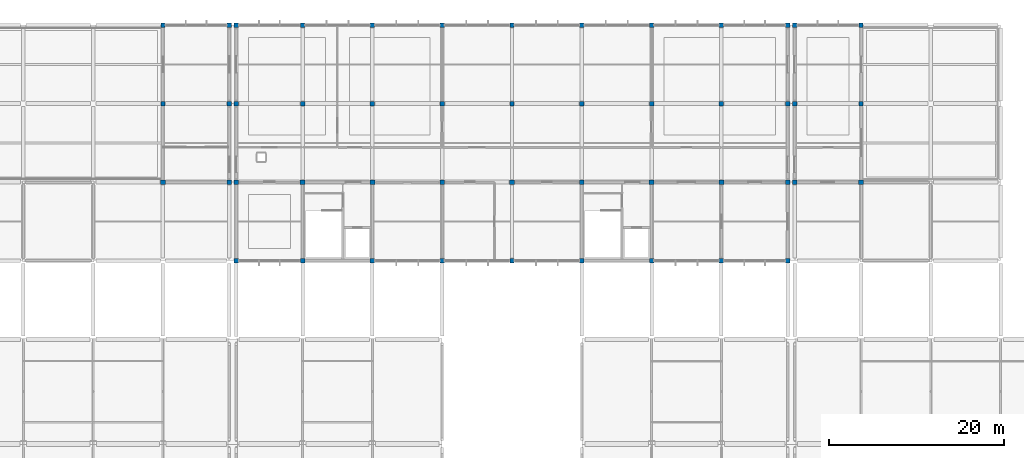
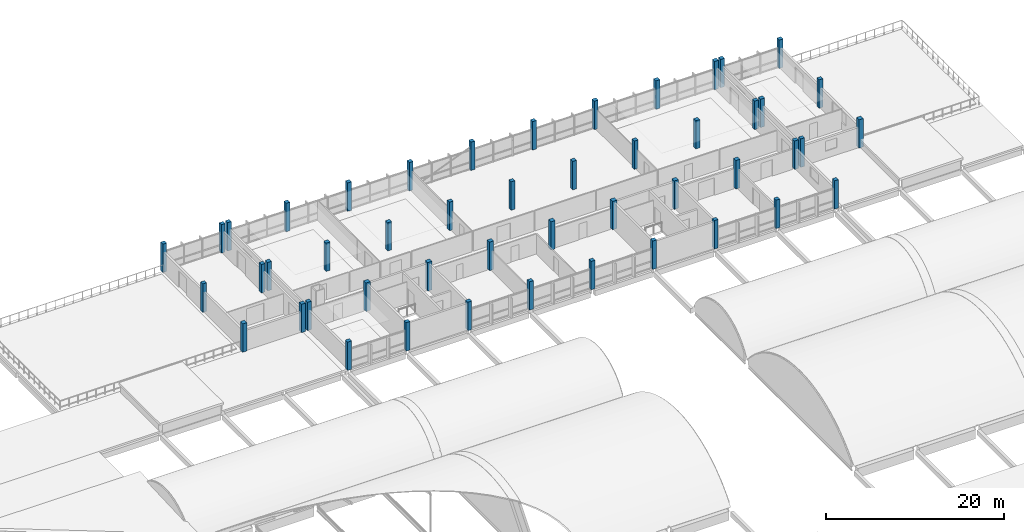
# One storey, part 2 of 57: 48 columns.
"""IFC4 building model written with IfcOpenShell, lengths in metres."""

from ifc_helpers import new_model, si_unit, direction, frame, origin, origin_2d, place, context, subcontext, project, spatial, rectangle, extrude, material, material_profile, profile_set, type_object, element, save


model = new_model("IFC4")

# Units and contexts
model_context = context("Model", 3, precision=1e-05, world=origin(), true_north=direction((0.0, 1.0)))
body_context = subcontext(model_context, "Body", "Model", "MODEL_VIEW")
ifc_project = project(units=[si_unit("LENGTHUNIT", "METRE"), si_unit("AREAUNIT", "SQUARE_METRE"), si_unit("VOLUMEUNIT", "CUBIC_METRE"), si_unit("PLANEANGLEUNIT", "RADIAN"), si_unit("MASSUNIT", "GRAM", prefix="KILO"), si_unit("THERMODYNAMICTEMPERATUREUNIT", "KELVIN"), si_unit("POWERUNIT", "WATT")], contexts=[model_context])

# Site, building, storey
site_placement = place(None, origin())
site = spatial("IfcSite", under=ifc_project, at=site_placement, CompositionType="ELEMENT")
building_placement = place(site_placement, origin())
building = spatial("IfcBuilding", under=site, at=building_placement, Name="Kronsvod Quay Wholesale Market", CompositionType="ELEMENT")
storey_placement = place(building_placement, frame((0.0, 0.0, 13.199951171875)))
storey = spatial("IfcBuildingStorey", under=building, at=storey_placement, Name="L03", CompositionType="ELEMENT", Elevation=13.199951171875)

# Columns
ifc_material_1 = material(Name="Precast concrete C40/50", Category="concrete")
ifc_material_profile_1 = material_profile(ifc_material_1, rectangle(XDim=0.5, YDim=0.5, at=origin_2d()), Name="PCC500x500")
ifc_profile_set_1 = profile_set([ifc_material_profile_1], Name="Precast concrete C40/50")
column_type_1 = type_object("IfcColumnType", Name="Col_PCC500x500", PredefinedType="COLUMN", material=ifc_profile_set_1)
for number, where, z_axis, x_axis, name in (
    (1, (56.0, 117.0, 0.0), (0.0, 0.0, 1.0), (1.0, 0.0, 0.0), "COLG-L03-560-1170"),
    (2, (56.0, 126.0, 0.0), (0.0, 0.0, 1.0), (1.0, 0.0, 0.0), "COLG-L03-560-1260"),
    (3, (63.60009765625, 108.0, 0.0), (0.0, 0.0, 1.0), (1.0, 0.0, 0.0), "COLG-L03-636-1080"),
    (4, (63.60009765625, 117.0, 0.0), (0.0, 0.0, 1.0), (1.0, 0.0, 0.0), "COLG-L03-636-1170"),
    (5, (63.60009765625, 126.0, 0.0), (0.0, 0.0, 1.0), (1.0, 0.0, 0.0), "COLG-L03-636-1260"),
    (6, (64.39990234375, 99.0, 0.0), (0.0, 0.0, 1.0), (1.0, 0.0, 0.0), "COLG-L03-644-990"),
    (7, (64.39990234375, 108.0, 0.0), (0.0, 0.0, 1.0), (1.0, 0.0, 0.0), "COLG-L03-644-1080"),
    (8, (64.39990234375, 117.0, 0.0), (0.0, 0.0, 1.0), (1.0, 0.0, 0.0), "COLG-L03-644-1170"),
    (9, (64.39990234375, 126.0, 0.0), (0.0, 0.0, 1.0), (1.0, 0.0, 0.0), "COLG-L03-644-1260"),
    (10, (72.0, 99.0, 0.0), (0.0, 0.0, 1.0), (1.0, 0.0, 0.0), "COLG-L03-720-990"),
    (11, (72.0, 117.0, 0.0), (0.0, 0.0, 1.0), (1.0, 0.0, 0.0), "COLG-L03-720-1170"),
    (12, (72.0, 126.0, 0.0), (0.0, 0.0, 1.0), (1.0, 0.0, 0.0), "COLG-L03-720-1260"),
    (13, (80.0, 99.0, 0.0), (0.0, 0.0, 1.0), (1.0, 0.0, 0.0), "COLG-L03-800-990"),
    (14, (80.0, 117.0, 0.0), (0.0, 0.0, 1.0), (1.0, 0.0, 0.0), "COLG-L03-800-1170"),
    (15, (80.0, 126.0, 0.0), (0.0, 0.0, 1.0), (1.0, 0.0, 0.0), "COLG-L03-800-1260"),
    (16, (88.0, 99.0, 0.0), (0.0, 0.0, 1.0), (1.0, 0.0, 0.0), "COLG-L03-880-990"),
    (17, (88.0, 117.0, 0.0), (0.0, 0.0, 1.0), (1.0, 0.0, 0.0), "COLG-L03-880-1170"),
    (18, (88.0, 126.0, 0.0), (0.0, 0.0, 1.0), (1.0, 0.0, 0.0), "COLG-L03-880-1260"),
    (19, (96.0, 99.0, 0.0), (0.0, 0.0, 1.0), (1.0, 0.0, 0.0), "COLG-L03-960-990"),
    (20, (96.0, 117.0, 0.0), (0.0, 0.0, 1.0), (1.0, 0.0, 0.0), "COLG-L03-960-1170"),
    (21, (96.0, 126.0, 0.0), (0.0, 0.0, 1.0), (1.0, 0.0, 0.0), "COLG-L03-960-1260"),
    (22, (104.0, 99.0, 0.0), (0.0, 0.0, 1.0), (1.0, 0.0, 0.0), "COLG-L03-1040-990"),
    (23, (104.0, 117.0, 0.0), (0.0, 0.0, 1.0), (1.0, 0.0, 0.0), "COLG-L03-1040-1170"),
    (24, (104.0, 126.0, 0.0), (0.0, 0.0, 1.0), (1.0, 0.0, 0.0), "COLG-L03-1040-1260"),
    (25, (112.0, 99.0, 0.0), (0.0, 0.0, 1.0), (1.0, 0.0, 0.0), "COLG-L03-1120-990"),
    (26, (112.0, 117.0, 0.0), (0.0, 0.0, 1.0), (1.0, 0.0, 0.0), "COLG-L03-1120-1170"),
    (27, (112.0, 126.0, 0.0), (0.0, 0.0, 1.0), (1.0, 0.0, 0.0), "COLG-L03-1120-1260"),
    (28, (120.0, 99.0, 0.0), (0.0, 0.0, 1.0), (1.0, 0.0, 0.0), "COLG-L03-1200-990"),
    (29, (120.0, 117.0, 0.0), (0.0, 0.0, 1.0), (1.0, 0.0, 0.0), "COLG-L03-1200-1170"),
    (30, (120.0, 126.0, 0.0), (0.0, 0.0, 1.0), (1.0, 0.0, 0.0), "COLG-L03-1200-1260"),
    (31, (127.60009765625, 99.0, 0.0), (0.0, 0.0, 1.0), (1.0, 0.0, 0.0), "COLG-L03-1276-990"),
    (32, (127.60009765625, 108.0, 0.0), (0.0, 0.0, 1.0), (1.0, 0.0, 0.0), "COLG-L03-1276-1080"),
    (33, (127.60009765625, 117.0, 0.0), (0.0, 0.0, 1.0), (1.0, 0.0, 0.0), "COLG-L03-1276-1170"),
    (34, (127.60009765625, 126.0, 0.0), (0.0, 0.0, 1.0), (1.0, 0.0, 0.0), "COLG-L03-1276-1260"),
    (35, (128.39990234375, 108.0, 0.0), (0.0, 0.0, 1.0), (1.0, 0.0, 0.0), "COLG-L03-1284-1080"),
    (36, (128.39990234375, 117.0, 0.0), (0.0, 0.0, 1.0), (1.0, 0.0, 0.0), "COLG-L03-1284-1170"),
    (37, (128.39990234375, 126.0, 0.0), (0.0, 0.0, 1.0), (1.0, 0.0, 0.0), "COLG-L03-1284-1260"),
    (38, (136.0, 117.0, 0.0), (0.0, 0.0, 1.0), (1.0, 0.0, 0.0), "COLG-L03-1360-1170"),
    (39, (136.0, 126.0, 0.0), (0.0, 0.0, 1.0), (1.0, 0.0, 0.0), "COLG-L03-1360-1260"),
):
    element("IfcColumn", number, at=place(storey_placement, frame(where, z_axis=z_axis, x_axis=x_axis)), inside=storey, type_object=column_type_1, Name=name, PredefinedType="COLUMN", context=body_context, shape_type="SweptSolid", body=[
        extrude(rectangle(XDim=0.5, YDim=0.5, at=origin_2d()), origin(), (0.0, 0.0, 1.0), 3.900146484375),
    ])
ifc_material_2 = material(Name="Precast concrete C40/50", Category="concrete")
ifc_material_profile_2 = material_profile(ifc_material_2, rectangle(XDim=0.550048828125, YDim=0.550048828125, at=origin_2d()), Name="COL-09")
ifc_profile_set_2 = profile_set([ifc_material_profile_2], Name="Precast concrete C40/50")
column_type_2 = type_object("IfcColumnType", Name="Col_PCC550x550", PredefinedType="COLUMN", material=ifc_profile_set_2)
for number, where, z_axis, x_axis, name in (
    (40, (56.0, 108.0, 0.0), (0.0, 0.0, 1.0), (1.0, 0.0, 0.0), "COLG-L03-560-1080"),
    (41, (72.0, 108.0, 0.0), (0.0, 0.0, 1.0), (1.0, 0.0, 0.0), "COLG-L03-720-1080"),
    (42, (80.0, 108.0, 0.0), (0.0, 0.0, 1.0), (1.0, 0.0, 0.0), "COLG-L03-800-1080"),
    (43, (88.0, 108.0, 0.0), (0.0, 0.0, 1.0), (1.0, 0.0, 0.0), "COLG-L03-880-1080"),
    (44, (96.0, 108.0, 0.0), (0.0, 0.0, 1.0), (1.0, 0.0, 0.0), "COLG-L03-960-1080"),
    (45, (104.0, 108.0, 0.0), (0.0, 0.0, 1.0), (1.0, 0.0, 0.0), "COLG-L03-1040-1080"),
    (46, (112.0, 108.0, 0.0), (0.0, 0.0, 1.0), (1.0, 0.0, 0.0), "COLG-L03-1120-1080"),
    (47, (120.0, 108.0, 0.0), (0.0, 0.0, 1.0), (1.0, 0.0, 0.0), "COLG-L03-1200-1080"),
    (48, (136.0, 108.0, 0.0), (0.0, 0.0, 1.0), (1.0, 0.0, 0.0), "COLG-L03-1360-1080"),
):
    element("IfcColumn", number, at=place(storey_placement, frame(where, z_axis=z_axis, x_axis=x_axis)), inside=storey, type_object=column_type_2, Name=name, PredefinedType="COLUMN", context=body_context, shape_type="SweptSolid", body=[
        extrude(rectangle(XDim=0.550048828125, YDim=0.550048828125, at=origin_2d()), origin(), (0.0, 0.0, 1.0), 3.900146484375),
    ])

save(model, "model.ifc")
